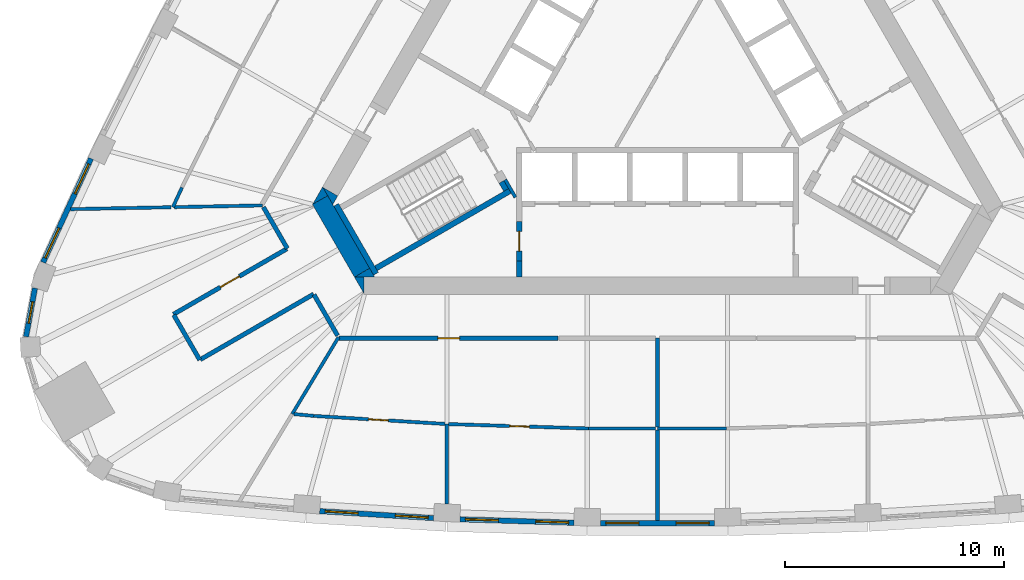
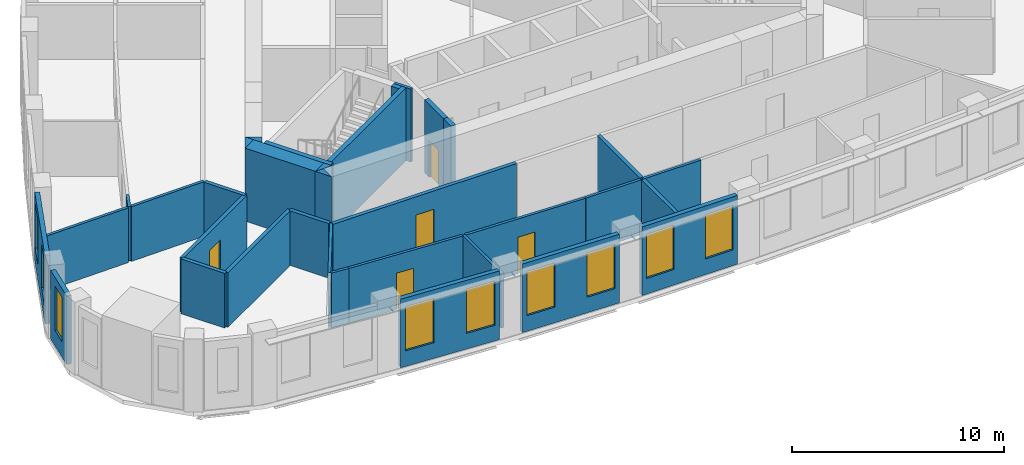
# One storey, part 3 of 10: 34 walls, 9 windows, 5 doors, 14 openings.
"""IFC4 building model written with IfcOpenShell, lengths in metres."""

from ifc_helpers import new_model, si_unit, direction, frame, frame_2d, origin, place, context, subcontext, project, spatial, polyline, rectangle, outline, extrude, material, layer, layer_set, type_object, element, fill, save


model = new_model("IFC4")

# Units and contexts
model_context = context("Model", 3, precision=1e-05, world=origin(), true_north=direction((0.0, 1.0)))
body_context = subcontext(model_context, "Body", "Model", "MODEL_VIEW")
ifc_project = project(units=[si_unit("LENGTHUNIT", "METRE"), si_unit("AREAUNIT", "SQUARE_METRE"), si_unit("VOLUMEUNIT", "CUBIC_METRE"), si_unit("PLANEANGLEUNIT", "RADIAN"), si_unit("MASSUNIT", "GRAM", prefix="KILO")], contexts=[model_context])

# Site, building, storey
site_placement = place(None, origin())
site = spatial("IfcSite", under=ifc_project, at=site_placement, CompositionType="ELEMENT")
building_placement = place(site_placement, origin())
building = spatial("IfcBuilding", under=site, at=building_placement, Name="Mestral Congress Tower", CompositionType="ELEMENT")
storey_placement = place(building_placement, frame((0.0, 0.0, 158.39990234375)))
storey = spatial("IfcBuildingStorey", under=building, at=storey_placement, Name="L37", CompositionType="ELEMENT", Elevation=158.39990234375)

# Walls
ifc_material_1 = material(Name="Concrete C60/75", Category="concrete")
ifc_layer_1 = layer(ifc_material_1, 0.800048828125)
ifc_layer_set_1 = layer_set([ifc_layer_1], Name="Concrete C60/75")
wall_type_1 = type_object("IfcWallType", Name="Core wall RC 800", PredefinedType="SOLIDWALL", material=ifc_layer_set_1)
placement = place(storey_placement, origin())
element("IfcWall", 1, at=placement, inside=storey, type_object=wall_type_1, Name="L37 core wall", PredefinedType="SOLIDWALL", context=body_context, shape_type="SweptSolid", body=[
    extrude(outline(polyline([(-13.82763671875, -9.64990234375), (-13.379638671875, -9.64990234375), (-13.379638671875, -10.42578125), (-13.82763671875, -9.64990234375)])), origin(), (0.0, 0.0, 1.0), 4.2001953125),
])
wall_2_placement = place(storey_placement, frame((-15.38720703125, -6.148193359375, 0.0), z_axis=(0.0, 0.0, 1.0), x_axis=(0.499984020225, -0.866034629516, 0.0)))
element("IfcWall", 2, at=wall_2_placement, inside=storey, type_object=wall_type_1, Name="L37 core wall", PredefinedType="SOLIDWALL", context=body_context, shape_type="SweptSolid", body=[
    extrude(rectangle(XDim=3.824462890625, YDim=0.800048828125, at=frame_2d((1.912109375, 0.0))), origin(), (0.0, 0.0, 1.0), 4.2001953125),
])
element("IfcWall", 3, at=placement, inside=storey, type_object=wall_type_1, Name="L37 core wall", PredefinedType="SOLIDWALL", context=body_context, shape_type="SweptSolid", body=[
    extrude(outline(polyline([(-15.0419921875, -5.946533203125), (-15.728759765625, -6.343017578125), (-15.27099609375, -5.5498046875), (-15.0419921875, -5.946533203125)])), origin(), (0.0, 0.0, 1.0), 4.2001953125),
])
element("IfcWall", 4, at=placement, inside=storey, type_object=wall_type_1, Name="L37 core wall", PredefinedType="SOLIDWALL", context=body_context, shape_type="SweptSolid", body=[
    extrude(outline(polyline([(-12.90380859375, -9.64990234375), (-13.7998046875, -9.64990234375), (-13.127685546875, -9.261962890625), (-12.90380859375, -9.64990234375)])), origin(), (0.0, 0.0, 1.0), 4.2001953125),
])
element("IfcWall", 5, at=placement, inside=storey, type_object=wall_type_1, Name="L37 core wall", PredefinedType="SOLIDWALL", context=body_context, shape_type="SweptSolid", body=[
    extrude(outline(polyline([(-14.80908203125, -6.35009765625), (-15.2568359375, -5.57421875), (-14.5849609375, -5.9619140625), (-14.80908203125, -6.35009765625)])), origin(), (0.0, 0.0, 1.0), 4.2001953125),
])

# Wall, openings, windows
ifc_material_2 = material(Name="Precast concrete C40/50 with limestone facing", Category="masonry")
ifc_layer_2 = layer(ifc_material_2, 0.239990234375)
ifc_layer_set_2 = layer_set([ifc_layer_2], Name="Precast concrete C40/50 with limestone facing")
wall_type_2 = type_object("IfcWallType", Name="Facade stone wall 240", PredefinedType="SOLIDWALL", material=ifc_layer_set_2)
wall_6_placement = place(storey_placement, frame((-15.404541015625, -20.33837890625, 0.0), z_axis=(0.0, 0.0, 1.0), x_axis=(0.998135294646, -0.061040425794, 0.0)))
wall_6 = element("IfcWall", 6, at=wall_6_placement, inside=storey, type_object=wall_type_2, Name="Facade wall F0-01", PredefinedType="SOLIDWALL", context=body_context, shape_type="SweptSolid", body=[
    extrude(rectangle(XDim=5.20361328125, YDim=0.239990234375, at=frame_2d((2.601806640625, 0.0))), origin(), (0.0, 0.0, 1.0), 3.9501953125),
])
opening_1_placement = place(wall_6_placement, frame((0.248291015625, 0.0, 0.89990234375)))
opening_1 = element("IfcOpeningElement", 7, at=opening_1_placement, cuts=wall_6, Name="Opening W4", PredefinedType="OPENING", context=body_context, shape_type="SweptSolid", body=[
    extrude(rectangle(XDim=1.5, YDim=2.550048828125, at=frame_2d((0.75, 1.27490234375))), frame((0.0, 0.1298828125, 0.0), z_axis=(0.0, -1.0, 0.0), x_axis=(1.0, 0.0, 0.0)), (0.0, 0.0, 1.0), 0.260009765625),
])
opening_2_placement = place(wall_6_placement, frame((3.455078125, 0.0, 0.89990234375)))
opening_2 = element("IfcOpeningElement", 8, at=opening_2_placement, cuts=wall_6, Name="Opening W4", PredefinedType="OPENING", context=body_context, shape_type="SweptSolid", body=[
    extrude(rectangle(XDim=1.5, YDim=2.550048828125, at=frame_2d((0.75, 1.27490234375))), frame((0.0, 0.1298828125, 0.0), z_axis=(0.0, -1.0, 0.0), x_axis=(1.0, 0.0, 0.0)), (0.0, 0.0, 1.0), 0.260009765625),
])
ifc_material_3 = material(Name="Clear low-emissivity double glazing", Category="glass")
window_type_1 = type_object("IfcWindowType", Name="Facade punched window 1500 x 2550 sill 900", PartitioningType="SINGLE_PANEL", PredefinedType="WINDOW", material=ifc_material_3)
window_1_placement = place(opening_1_placement, origin())
window_1 = element("IfcWindow", 9, at=window_1_placement, inside=storey, type_object=window_type_1, Name="Window F0-01a", OverallHeight=2.550048828125, OverallWidth=1.5, PartitioningType="SINGLE_PANEL", PredefinedType="WINDOW", context=body_context, shape_type="SweptSolid", body=[
    extrude(rectangle(XDim=1.5, YDim=2.550048828125, at=frame_2d((0.75, 1.27490234375))), frame((0.0, 0.0400390625, 0.0), z_axis=(0.0, -1.0, 0.0), x_axis=(1.0, 0.0, 0.0)), (0.0, 0.0, 1.0), 0.06005859375),
])
fill(opening_1, window_1)
window_2_placement = place(opening_2_placement, origin())
window_2 = element("IfcWindow", 10, at=window_2_placement, inside=storey, type_object=window_type_1, Name="Window F0-01b", OverallHeight=2.550048828125, OverallWidth=1.5, PartitioningType="SINGLE_PANEL", PredefinedType="WINDOW", context=body_context, shape_type="SweptSolid", body=[
    extrude(rectangle(XDim=1.5, YDim=2.550048828125, at=frame_2d((0.75, 1.27490234375))), frame((0.0, 0.0400390625, 0.0), z_axis=(0.0, -1.0, 0.0), x_axis=(1.0, 0.0, 0.0)), (0.0, 0.0, 1.0), 0.06005859375),
])
fill(opening_2, window_2)

wall_7_placement = place(storey_placement, frame((-9.00732421875, -20.7109375, 0.0), z_axis=(0.0, 0.0, 1.0), x_axis=(0.999533441983, -0.030543384845, 0.0)))
wall_7 = element("IfcWall", 11, at=wall_7_placement, inside=storey, type_object=wall_type_2, Name="Facade wall F0-02", PredefinedType="SOLIDWALL", context=body_context, shape_type="SweptSolid", body=[
    extrude(rectangle(XDim=5.20361328125, YDim=0.239990234375, at=frame_2d((2.601806640625, 0.0))), origin(), (0.0, 0.0, 1.0), 3.9501953125),
])
opening_3_placement = place(wall_7_placement, frame((0.248291015625, 0.0, 0.89990234375)))
opening_3 = element("IfcOpeningElement", 12, at=opening_3_placement, cuts=wall_7, Name="Opening W4", PredefinedType="OPENING", context=body_context, shape_type="SweptSolid", body=[
    extrude(rectangle(XDim=1.5, YDim=2.550048828125, at=frame_2d((0.75, 1.27490234375))), frame((0.0, 0.1298828125, 0.0), z_axis=(0.0, -1.0, 0.0), x_axis=(1.0, 0.0, 0.0)), (0.0, 0.0, 1.0), 0.260009765625),
])
opening_4_placement = place(wall_7_placement, frame((3.455078125, 0.0, 0.89990234375)))
opening_4 = element("IfcOpeningElement", 13, at=opening_4_placement, cuts=wall_7, Name="Opening W4", PredefinedType="OPENING", context=body_context, shape_type="SweptSolid", body=[
    extrude(rectangle(XDim=1.5, YDim=2.550048828125, at=frame_2d((0.75, 1.27490234375))), frame((0.0, 0.1298828125, 0.0), z_axis=(0.0, -1.0, 0.0), x_axis=(1.0, 0.0, 0.0)), (0.0, 0.0, 1.0), 0.260009765625),
])
window_3_placement = place(opening_3_placement, origin())
window_3 = element("IfcWindow", 14, at=window_3_placement, inside=storey, type_object=window_type_1, Name="Window F0-02a", OverallHeight=2.550048828125, OverallWidth=1.5, PartitioningType="SINGLE_PANEL", PredefinedType="WINDOW", context=body_context, shape_type="SweptSolid", body=[
    extrude(rectangle(XDim=1.5, YDim=2.550048828125, at=frame_2d((0.75, 1.27490234375))), frame((0.0, 0.0400390625, 0.0), z_axis=(0.0, -1.0, 0.0), x_axis=(1.0, 0.0, 0.0)), (0.0, 0.0, 1.0), 0.06005859375),
])
fill(opening_3, window_3)
window_4_placement = place(opening_4_placement, origin())
window_4 = element("IfcWindow", 15, at=window_4_placement, inside=storey, type_object=window_type_1, Name="Window F0-02b", OverallHeight=2.550048828125, OverallWidth=1.5, PartitioningType="SINGLE_PANEL", PredefinedType="WINDOW", context=body_context, shape_type="SweptSolid", body=[
    extrude(rectangle(XDim=1.5, YDim=2.550048828125, at=frame_2d((0.75, 1.27490234375))), frame((0.0, 0.0400390625, 0.0), z_axis=(0.0, -1.0, 0.0), x_axis=(1.0, 0.0, 0.0)), (0.0, 0.0, 1.0), 0.06005859375),
])
fill(opening_4, window_4)

wall_8_placement = place(storey_placement, frame((-2.601806640625, -20.88818359375, 0.0), z_axis=(0.0, 0.0, 1.0), x_axis=(1.0, 0.0, 0.0)))
wall_8 = element("IfcWall", 16, at=wall_8_placement, inside=storey, type_object=wall_type_2, Name="Facade wall F0-03", PredefinedType="SOLIDWALL", context=body_context, shape_type="SweptSolid", body=[
    extrude(rectangle(XDim=5.20361328125, YDim=0.239990234375, at=frame_2d((2.601806640625, 0.0))), origin(), (0.0, 0.0, 1.0), 3.9501953125),
])
opening_5_placement = place(wall_8_placement, frame((0.248291015625, 0.0, 0.89990234375)))
opening_5 = element("IfcOpeningElement", 17, at=opening_5_placement, cuts=wall_8, Name="Opening W4", PredefinedType="OPENING", context=body_context, shape_type="SweptSolid", body=[
    extrude(rectangle(XDim=1.5, YDim=2.550048828125, at=frame_2d((0.75, 1.27490234375))), frame((0.0, 0.1298828125, 0.0), z_axis=(0.0, -1.0, 0.0), x_axis=(1.0, 0.0, 0.0)), (0.0, 0.0, 1.0), 0.260009765625),
])
opening_6_placement = place(wall_8_placement, frame((3.455078125, 0.0, 0.89990234375)))
opening_6 = element("IfcOpeningElement", 18, at=opening_6_placement, cuts=wall_8, Name="Opening W4", PredefinedType="OPENING", context=body_context, shape_type="SweptSolid", body=[
    extrude(rectangle(XDim=1.5, YDim=2.550048828125, at=frame_2d((0.75, 1.27490234375))), frame((0.0, 0.1298828125, 0.0), z_axis=(0.0, -1.0, 0.0), x_axis=(1.0, 0.0, 0.0)), (0.0, 0.0, 1.0), 0.260009765625),
])
window_5_placement = place(opening_5_placement, origin())
window_5 = element("IfcWindow", 19, at=window_5_placement, inside=storey, type_object=window_type_1, Name="Window F0-03a", OverallHeight=2.550048828125, OverallWidth=1.5, PartitioningType="SINGLE_PANEL", PredefinedType="WINDOW", context=body_context, shape_type="SweptSolid", body=[
    extrude(rectangle(XDim=1.5, YDim=2.550048828125, at=frame_2d((0.75, 1.27490234375))), frame((0.0, 0.0400390625, 0.0), z_axis=(0.0, -1.0, 0.0), x_axis=(1.0, 0.0, 0.0)), (0.0, 0.0, 1.0), 0.06005859375),
])
fill(opening_5, window_5)
window_6_placement = place(opening_6_placement, origin())
window_6 = element("IfcWindow", 20, at=window_6_placement, inside=storey, type_object=window_type_1, Name="Window F0-03b", OverallHeight=2.550048828125, OverallWidth=1.5, PartitioningType="SINGLE_PANEL", PredefinedType="WINDOW", context=body_context, shape_type="SweptSolid", body=[
    extrude(rectangle(XDim=1.5, YDim=2.550048828125, at=frame_2d((0.75, 1.27490234375))), frame((0.0, 0.0400390625, 0.0), z_axis=(0.0, -1.0, 0.0), x_axis=(1.0, 0.0, 0.0)), (0.0, 0.0, 1.0), 0.06005859375),
])
fill(opening_6, window_6)

wall_9_placement = place(storey_placement, frame((-25.8369140625, -4.2578125, 0.0), z_axis=(0.0, 0.0, 1.0), x_axis=(-0.418722559465, -0.908114209885, 0.0)))
wall_9 = element("IfcWall", 21, at=wall_9_placement, inside=storey, type_object=wall_type_2, Name="Facade wall F2-06", PredefinedType="SOLIDWALL", context=body_context, shape_type="SweptSolid", body=[
    extrude(rectangle(XDim=5.213134765625, YDim=0.239990234375, at=frame_2d((2.6064453125, 0.0))), origin(), (0.0, 0.0, 1.0), 3.9501953125),
])
opening_7_placement = place(wall_9_placement, frame((0.2607421875, 0.0, 0.89990234375)))
opening_7 = element("IfcOpeningElement", 22, at=opening_7_placement, cuts=wall_9, Name="Opening W4", PredefinedType="OPENING", context=body_context, shape_type="SweptSolid", body=[
    extrude(rectangle(XDim=1.5, YDim=2.550048828125, at=frame_2d((0.75, 1.27490234375))), frame((0.0, 0.1298828125, 0.0), z_axis=(0.0, -1.0, 0.0), x_axis=(1.0, 0.0, 0.0)), (0.0, 0.0, 1.0), 0.260009765625),
])
opening_8_placement = place(wall_9_placement, frame((3.492431640625, 0.0, 0.89990234375)))
opening_8 = element("IfcOpeningElement", 23, at=opening_8_placement, cuts=wall_9, Name="Opening W4", PredefinedType="OPENING", context=body_context, shape_type="SweptSolid", body=[
    extrude(rectangle(XDim=1.5, YDim=2.550048828125, at=frame_2d((0.75, 1.27490234375))), frame((0.0, 0.1298828125, 0.0), z_axis=(0.0, -1.0, 0.0), x_axis=(1.0, 0.0, 0.0)), (0.0, 0.0, 1.0), 0.260009765625),
])
window_7_placement = place(opening_7_placement, origin())
window_7 = element("IfcWindow", 24, at=window_7_placement, inside=storey, type_object=window_type_1, Name="Window F2-06a", OverallHeight=2.550048828125, OverallWidth=1.5, PartitioningType="SINGLE_PANEL", PredefinedType="WINDOW", context=body_context, shape_type="SweptSolid", body=[
    extrude(rectangle(XDim=1.5, YDim=2.550048828125, at=frame_2d((0.75, 1.27490234375))), frame((0.0, 0.0400390625, 0.0), z_axis=(0.0, -1.0, 0.0), x_axis=(1.0, 0.0, 0.0)), (0.0, 0.0, 1.0), 0.06005859375),
])
fill(opening_7, window_7)
window_8_placement = place(opening_8_placement, origin())
window_8 = element("IfcWindow", 25, at=window_8_placement, inside=storey, type_object=window_type_1, Name="Window F2-06b", OverallHeight=2.550048828125, OverallWidth=1.5, PartitioningType="SINGLE_PANEL", PredefinedType="WINDOW", context=body_context, shape_type="SweptSolid", body=[
    extrude(rectangle(XDim=1.5, YDim=2.550048828125, at=frame_2d((0.75, 1.27490234375))), frame((0.0, 0.0400390625, 0.0), z_axis=(0.0, -1.0, 0.0), x_axis=(1.0, 0.0, 0.0)), (0.0, 0.0, 1.0), 0.06005859375),
])
fill(opening_8, window_8)

# Wall, opening, window
wall_10_placement = place(storey_placement, frame((-28.392578125, -10.166748046875, 0.0), z_axis=(0.0, 0.0, 1.0), x_axis=(-0.180737189259, -0.983531427265, 0.0)))
wall_10 = element("IfcWall", 26, at=wall_10_placement, inside=storey, type_object=wall_type_2, Name="Facade wall K2-0", PredefinedType="SOLIDWALL", context=body_context, shape_type="SweptSolid", body=[
    extrude(rectangle(XDim=2.25048828125, YDim=0.239990234375, at=frame_2d((1.125244140625, 0.0))), origin(), (0.0, 0.0, 1.0), 3.9501953125),
])
opening_9_placement = place(wall_10_placement, frame((0.625244140625, 0.0, 0.89990234375)))
opening_9 = element("IfcOpeningElement", 27, at=opening_9_placement, cuts=wall_10, Name="Opening W5", PredefinedType="OPENING", context=body_context, shape_type="SweptSolid", body=[
    extrude(rectangle(XDim=1.0, YDim=2.550048828125, at=frame_2d((0.5, 1.27490234375))), frame((0.0, 0.1298828125, 0.0), z_axis=(0.0, -1.0, 0.0), x_axis=(1.0, 0.0, 0.0)), (0.0, 0.0, 1.0), 0.260009765625),
])
window_type_2 = type_object("IfcWindowType", Name="Facade punched window 1000 x 2550 sill 900", PartitioningType="SINGLE_PANEL", PredefinedType="WINDOW", material=ifc_material_3)
window_9_placement = place(opening_9_placement, origin())
window_9 = element("IfcWindow", 28, at=window_9_placement, inside=storey, type_object=window_type_2, Name="Window K2-0", OverallHeight=2.550048828125, OverallWidth=1.0, PartitioningType="SINGLE_PANEL", PredefinedType="WINDOW", context=body_context, shape_type="SweptSolid", body=[
    extrude(rectangle(XDim=1.0, YDim=2.550048828125, at=frame_2d((0.5, 1.27490234375))), frame((0.0, 0.0400390625, 0.0), z_axis=(0.0, -1.0, 0.0), x_axis=(1.0, 0.0, 0.0)), (0.0, 0.0, 1.0), 0.06005859375),
])
fill(opening_9, window_9)

# Walls
ifc_material_4 = material(Name="Plasterboard partition on steel studs", Category="steel")
ifc_layer_3 = layer(ifc_material_4, 0.14990234375)
ifc_layer_set_3 = layer_set([ifc_layer_3], Name="Plasterboard partition on steel studs")
wall_type_3 = type_object("IfcWallType", Name="Office partition 150", PredefinedType="PARTITIONING", material=ifc_layer_set_3)
wall_11_placement = place(storey_placement, frame((0.0, -16.568115234375, 0.0), z_axis=(0.0, 0.0, 1.0), x_axis=(1.0, 0.0, 0.0)))
element("IfcWall", 29, at=wall_11_placement, inside=storey, type_object=wall_type_3, Name="Partition", PredefinedType="PARTITIONING", context=body_context, shape_type="SweptSolid", body=[
    extrude(rectangle(XDim=3.13818359375, YDim=0.14990234375, at=frame_2d((1.569091796875, 0.0))), origin(), (0.0, 0.0, 1.0), 3.150146484375),
])
wall_12_placement = place(storey_placement, frame((-21.689208984375, -5.579345703125, 0.0), z_axis=(0.0, 0.0, 1.0), x_axis=(-0.418649696334, -0.908147802816, 0.0)))
element("IfcWall", 30, at=wall_12_placement, inside=storey, type_object=wall_type_3, Name="Partition", PredefinedType="PARTITIONING", context=body_context, shape_type="SweptSolid", body=[
    extrude(rectangle(XDim=0.985595703125, YDim=0.14990234375, at=frame_2d((0.49267578125, 0.0))), origin(), (0.0, 0.0, 1.0), 3.150146484375),
])
wall_13_placement = place(storey_placement, frame((-22.185302734375, -6.47607421875, 0.0), z_axis=(0.0, 0.0, 1.0), x_axis=(-0.999810025733, -0.019491342784, 0.0)))
element("IfcWall", 31, at=wall_13_placement, inside=storey, type_object=wall_type_3, Name="Partition", PredefinedType="PARTITIONING", context=body_context, shape_type="SweptSolid", body=[
    extrude(rectangle(XDim=4.58447265625, YDim=0.14990234375, at=frame_2d((2.292236328125, 0.0))), origin(), (0.0, 0.0, 1.0), 3.150146484375),
])
wall_14_placement = place(storey_placement, frame((-18.016357421875, -6.39453125, 0.0), z_axis=(0.0, 0.0, 1.0), x_axis=(-0.999809528944, -0.019516808959, 0.0)))
element("IfcWall", 32, at=wall_14_placement, inside=storey, type_object=wall_type_3, Name="Partition", PredefinedType="PARTITIONING", context=body_context, shape_type="SweptSolid", body=[
    extrude(rectangle(XDim=4.0029296875, YDim=0.14990234375, at=frame_2d((2.00146484375, 0.0))), origin(), (0.0, 0.0, 1.0), 3.150146484375),
])
wall_15_placement = place(storey_placement, frame((-14.546142578125, -12.405517578125, 0.0), z_axis=(0.0, 0.0, 1.0), x_axis=(-0.516811321583, -0.856099327113, 0.0)))
element("IfcWall", 33, at=wall_15_placement, inside=storey, type_object=wall_type_3, Name="Partition", PredefinedType="PARTITIONING", context=body_context, shape_type="SweptSolid", body=[
    extrude(rectangle(XDim=4.090087890625, YDim=0.14990234375, at=frame_2d((2.044921875, 0.0))), origin(), (0.0, 0.0, 1.0), 3.150146484375),
])
wall_16_placement = place(storey_placement, frame((-9.6171875, -16.364013671875, 0.0), z_axis=(0.0, 0.0, 1.0), x_axis=(0.0, -1.0, 0.0)))
element("IfcWall", 34, at=wall_16_placement, inside=storey, type_object=wall_type_3, Name="Partition", PredefinedType="PARTITIONING", context=body_context, shape_type="SweptSolid", body=[
    extrude(rectangle(XDim=3.6474609375, YDim=0.14990234375, at=frame_2d((1.82373046875, 0.0))), origin(), (0.0, 0.0, 1.0), 3.150146484375),
])
wall_17_placement = place(storey_placement, frame((-16.574951171875, -15.9111328125, 0.0), z_axis=(0.0, 0.0, 1.0), x_axis=(0.995808489615, -0.09146284497, 0.0)))
element("IfcWall", 35, at=wall_17_placement, inside=storey, type_object=wall_type_3, Name="Partition", PredefinedType="PARTITIONING", context=body_context, shape_type="SweptSolid", body=[
    extrude(rectangle(XDim=0.902099609375, YDim=0.14990234375, at=frame_2d((0.451171875, 0.0))), origin(), (0.0, 0.0, 1.0), 3.150146484375),
])

# Wall, opening, door
wall_18_placement = place(storey_placement, frame((-9.692138671875, -16.359619140625, 0.0), z_axis=(0.0, 0.0, 1.0), x_axis=(-0.998135339661, 0.061039689709, 0.0)))
wall_18 = element("IfcWall", 36, at=wall_18_placement, inside=storey, type_object=wall_type_3, Name="Partition", PredefinedType="PARTITIONING", context=body_context, shape_type="SweptSolid", body=[
    extrude(rectangle(XDim=5.99560546875, YDim=0.14990234375, at=frame_2d((2.997802734375, 0.0))), origin(), (0.0, 0.0, 1.0), 3.150146484375),
])
opening_10_placement = place(wall_18_placement, frame((2.595458984375, 0.0, 0.0)))
opening_10 = element("IfcOpeningElement", 37, at=opening_10_placement, cuts=wall_18, Name="Opening O02-019", PredefinedType="OPENING", context=body_context, shape_type="SweptSolid", body=[
    extrude(rectangle(XDim=0.89990234375, YDim=2.10009765625, at=frame_2d((0.449951171875, 1.050048828125))), frame((0.0, 0.0849609375, 0.0), z_axis=(0.0, -1.0, 0.0), x_axis=(1.0, 0.0, 0.0)), (0.0, 0.0, 1.0), 0.169921875),
])
ifc_material_5 = material(Name="Timber door set", Category="wood")
door_type_1 = type_object("IfcDoorType", Name="Office door 900x2100", OperationType="SINGLE_SWING_LEFT", PredefinedType="DOOR", material=ifc_material_5)
door_1_placement = place(opening_10_placement, origin())
door_1 = element("IfcDoor", 38, at=door_1_placement, inside=storey, type_object=door_type_1, Name="Door O02-019", OperationType="SINGLE_SWING_RIGHT", OverallHeight=2.10009765625, OverallWidth=0.89990234375, PredefinedType="DOOR", context=body_context, shape_type="SweptSolid", body=[
    extrude(rectangle(XDim=0.89990234375, YDim=2.10009765625, at=frame_2d((0.449951171875, 1.050048828125))), frame((0.0, 0.02490234375, 0.0), z_axis=(0.0, -1.0, 0.0), x_axis=(1.0, 0.0, 0.0)), (0.0, 0.0, 1.0), 0.050048828125),
])
fill(opening_10, door_1)

wall_19_placement = place(storey_placement, frame((-3.13818359375, -16.568115234375, 0.0), z_axis=(0.0, 0.0, 1.0), x_axis=(-0.999504575396, 0.031473858384, 0.0)))
wall_19 = element("IfcWall", 39, at=wall_19_placement, inside=storey, type_object=wall_type_3, Name="Partition", PredefinedType="PARTITIONING", context=body_context, shape_type="SweptSolid", body=[
    extrude(rectangle(XDim=6.4072265625, YDim=0.14990234375, at=frame_2d((3.20361328125, 0.0))), origin(), (0.0, 0.0, 1.0), 3.150146484375),
])
opening_11_placement = place(wall_19_placement, frame((2.707275390625, 0.0, 0.0)))
opening_11 = element("IfcOpeningElement", 40, at=opening_11_placement, cuts=wall_19, Name="Opening O02-020", PredefinedType="OPENING", context=body_context, shape_type="SweptSolid", body=[
    extrude(rectangle(XDim=0.89990234375, YDim=2.10009765625, at=frame_2d((0.449951171875, 1.050048828125))), frame((0.0, 0.0849609375, 0.0), z_axis=(0.0, -1.0, 0.0), x_axis=(1.0, 0.0, 0.0)), (0.0, 0.0, 1.0), 0.169921875),
])
door_2_placement = place(opening_11_placement, origin())
door_2 = element("IfcDoor", 41, at=door_2_placement, inside=storey, type_object=door_type_1, Name="Door O02-020", OperationType="SINGLE_SWING_LEFT", OverallHeight=2.10009765625, OverallWidth=0.89990234375, PredefinedType="DOOR", context=body_context, shape_type="SweptSolid", body=[
    extrude(rectangle(XDim=0.89990234375, YDim=2.10009765625, at=frame_2d((0.449951171875, 1.050048828125))), frame((0.0, 0.02490234375, 0.0), z_axis=(0.0, -1.0, 0.0), x_axis=(1.0, 0.0, 0.0)), (0.0, 0.0, 1.0), 0.050048828125),
])
fill(opening_11, door_2)

# Walls
wall_20_placement = place(storey_placement, frame((-3.13818359375, -16.568115234375, 0.0), z_axis=(0.0, 0.0, 1.0), x_axis=(1.0, 0.0, 0.0)))
element("IfcWall", 42, at=wall_20_placement, inside=storey, type_object=wall_type_3, Name="Partition", PredefinedType="PARTITIONING", context=body_context, shape_type="SweptSolid", body=[
    extrude(rectangle(XDim=3.0380859375, YDim=0.14990234375, at=frame_2d((1.51904296875, 0.0))), origin(), (0.0, 0.0, 1.0), 3.150146484375),
])
ifc_material_6 = material(Name="Dense masonry wall, plastered", Category="masonry")
ifc_layer_4 = layer(ifc_material_6, 0.199951171875)
ifc_layer_set_4 = layer_set([ifc_layer_4], Name="Dense masonry wall, plastered")
wall_type_4 = type_object("IfcWallType", Name="Office tenancy wall 200", PredefinedType="PARTITIONING", material=ifc_layer_set_4)
wall_21_placement = place(storey_placement, frame((0.0, -20.768310546875, 0.0), z_axis=(0.0, 0.0, 1.0), x_axis=(0.0, 1.0, 0.0)))
element("IfcWall", 43, at=wall_21_placement, inside=storey, type_object=wall_type_4, Name="Tenancy wall", PredefinedType="PARTITIONING", context=body_context, shape_type="SweptSolid", body=[
    extrude(rectangle(XDim=4.125, YDim=0.199951171875, at=frame_2d((2.0625, 0.0))), origin(), (0.0, 0.0, 1.0), 3.150146484375),
])
wall_22_placement = place(storey_placement, frame((0.0, -16.4931640625, 0.0), z_axis=(0.0, 0.0, 1.0), x_axis=(0.0, 1.0, 0.0)))
element("IfcWall", 44, at=wall_22_placement, inside=storey, type_object=wall_type_4, Name="Tenancy wall", PredefinedType="PARTITIONING", context=body_context, shape_type="SweptSolid", body=[
    extrude(rectangle(XDim=4.043212890625, YDim=0.199951171875, at=frame_2d((2.021484375, 0.0))), origin(), (0.0, 0.0, 1.0), 3.150146484375),
])
wall_23_placement = place(storey_placement, frame((-17.9736328125, -6.46875, 0.0), z_axis=(0.0, 0.0, 1.0), x_axis=(0.499961062019, -0.866047883471, 0.0)))
element("IfcWall", 45, at=wall_23_placement, inside=storey, type_object=wall_type_4, Name="Tenancy wall", PredefinedType="PARTITIONING", context=body_context, shape_type="SweptSolid", body=[
    extrude(rectangle(XDim=2.184814453125, YDim=0.199951171875, at=frame_2d((1.09228515625, 0.0))), origin(), (0.0, 0.0, 1.0), 3.150146484375),
])

# Wall, opening, door
wall_24_placement = place(storey_placement, frame((-16.9072265625, -8.375732421875, 0.0), z_axis=(0.0, 0.0, 1.0), x_axis=(-0.866017375886, -0.50001390447, 0.0)))
wall_24 = element("IfcWall", 46, at=wall_24_placement, inside=storey, type_object=wall_type_4, Name="Tenancy wall", PredefinedType="PARTITIONING", context=body_context, shape_type="SweptSolid", body=[
    extrude(rectangle(XDim=5.969970703125, YDim=0.199951171875, at=frame_2d((2.98486328125, 0.0))), origin(), (0.0, 0.0, 1.0), 3.150146484375),
])
opening_12_placement = place(wall_24_placement, frame((2.5, 0.0, 0.0)))
opening_12 = element("IfcOpeningElement", 47, at=opening_12_placement, cuts=wall_24, Name="Opening O02-018", PredefinedType="OPENING", context=body_context, shape_type="SweptSolid", body=[
    extrude(rectangle(XDim=1.0, YDim=2.10009765625, at=frame_2d((0.5, 1.050048828125))), frame((0.0, 0.10986328125, 0.0), z_axis=(0.0, -1.0, 0.0), x_axis=(1.0, 0.0, 0.0)), (0.0, 0.0, 1.0), 0.219970703125),
])
ifc_material_7 = material(Name="Fire-rated timber door set", Category="wood")
door_type_2 = type_object("IfcDoorType", Name="Office tenancy entrance door 1000x2100", OperationType="SINGLE_SWING_LEFT", PredefinedType="DOOR", material=ifc_material_7)
door_3_placement = place(opening_12_placement, origin())
door_3 = element("IfcDoor", 48, at=door_3_placement, inside=storey, type_object=door_type_2, Name="Door O02-018", OperationType="SINGLE_SWING_RIGHT", OverallHeight=2.10009765625, OverallWidth=1.0, PredefinedType="DOOR", context=body_context, shape_type="SweptSolid", body=[
    extrude(rectangle(XDim=1.0, YDim=2.10009765625, at=frame_2d((0.5, 1.050048828125))), frame((0.0, 0.02490234375, 0.0), z_axis=(0.0, -1.0, 0.0), x_axis=(1.0, 0.0, 0.0)), (0.0, 0.0, 1.0), 0.050048828125),
])
fill(opening_12, door_3)

# Walls
wall_25_placement = place(storey_placement, frame((-22.0625, -11.38671875, 0.0), z_axis=(0.0, 0.0, 1.0), x_axis=(0.5000167099, -0.866015756104, 0.0)))
element("IfcWall", 49, at=wall_25_placement, inside=storey, type_object=wall_type_4, Name="Tenancy wall", PredefinedType="PARTITIONING", context=body_context, shape_type="SweptSolid", body=[
    extrude(rectangle(XDim=2.3701171875, YDim=0.199951171875, at=frame_2d((1.18505859375, 0.0))), origin(), (0.0, 0.0, 1.0), 3.150146484375),
])
wall_26_placement = place(storey_placement, frame((-20.851318359375, -13.42431640625, 0.0), z_axis=(0.0, 0.0, 1.0), x_axis=(0.866007151214, 0.500031613047, 0.0)))
element("IfcWall", 50, at=wall_26_placement, inside=storey, type_object=wall_type_4, Name="Tenancy wall", PredefinedType="PARTITIONING", context=body_context, shape_type="SweptSolid", body=[
    extrude(rectangle(XDim=5.9697265625, YDim=0.199951171875, at=frame_2d((2.98486328125, 0.0))), origin(), (0.0, 0.0, 1.0), 3.150146484375),
])
wall_27_placement = place(storey_placement, frame((-15.666259765625, -10.465087890625, 0.0), z_axis=(0.0, 0.0, 1.0), x_axis=(0.499977443261, -0.866038426532, 0.0)))
element("IfcWall", 51, at=wall_27_placement, inside=storey, type_object=wall_type_4, Name="Tenancy wall", PredefinedType="PARTITIONING", context=body_context, shape_type="SweptSolid", body=[
    extrude(rectangle(XDim=2.15478515625, YDim=0.199951171875, at=frame_2d((1.077392578125, 0.0))), origin(), (0.0, 0.0, 1.0), 3.150146484375),
])

# Wall, opening, door
wall_28_placement = place(storey_placement, frame((-14.5205078125, -12.449951171875, 0.0), z_axis=(0.0, 0.0, 1.0), x_axis=(1.0, 0.0, 0.0)))
wall_28 = element("IfcWall", 52, at=wall_28_placement, inside=storey, type_object=wall_type_4, Name="Tenancy wall", PredefinedType="PARTITIONING", context=body_context, shape_type="SweptSolid", body=[
    extrude(rectangle(XDim=9.990478515625, YDim=0.199951171875, at=frame_2d((4.9951171875, 0.0))), origin(), (0.0, 0.0, 1.0), 3.150146484375),
])
opening_13_placement = place(wall_28_placement, frame((4.5, 0.0, 0.0)))
opening_13 = element("IfcOpeningElement", 53, at=opening_13_placement, cuts=wall_28, Name="Opening O02-021", PredefinedType="OPENING", context=body_context, shape_type="SweptSolid", body=[
    extrude(rectangle(XDim=1.0, YDim=2.10009765625, at=frame_2d((0.5, 1.050048828125))), frame((0.0, 0.10986328125, 0.0), z_axis=(0.0, -1.0, 0.0), x_axis=(1.0, 0.0, 0.0)), (0.0, 0.0, 1.0), 0.219970703125),
])
door_4_placement = place(opening_13_placement, origin())
door_4 = element("IfcDoor", 54, at=door_4_placement, inside=storey, type_object=door_type_2, Name="Door O02-021", OperationType="SINGLE_SWING_RIGHT", OverallHeight=2.10009765625, OverallWidth=1.0, PredefinedType="DOOR", context=body_context, shape_type="SweptSolid", body=[
    extrude(rectangle(XDim=1.0, YDim=2.10009765625, at=frame_2d((0.5, 1.050048828125))), frame((0.0, 0.02490234375, 0.0), z_axis=(0.0, -1.0, 0.0), x_axis=(1.0, 0.0, 0.0)), (0.0, 0.0, 1.0), 0.050048828125),
])
fill(opening_13, door_4)

# Wall
ifc_layer_5 = layer(ifc_material_1, 0.25)
ifc_layer_set_5 = layer_set([ifc_layer_5], Name="Concrete C60/75")
wall_type_5 = type_object("IfcWallType", Name="Shaft wall RC 250", PredefinedType="SOLIDWALL", material=ifc_layer_set_5)
wall_29_placement = place(storey_placement, frame((-6.300048828125, -8.9248046875, 0.0), z_axis=(0.0, 0.0, 1.0), x_axis=(0.0, -1.0, 0.0)))
element("IfcWall", 55, at=wall_29_placement, inside=storey, type_object=wall_type_5, Name="L37 core wall", PredefinedType="SOLIDWALL", context=body_context, shape_type="SweptSolid", body=[
    extrude(rectangle(XDim=0.72509765625, YDim=0.25, at=frame_2d((0.362548828125, 0.0))), origin(), (0.0, 0.0, 1.0), 4.2001953125),
])

# Wall, opening, door
wall_30_placement = place(storey_placement, frame((-6.300048828125, -7.12451171875, 0.0), z_axis=(0.0, 0.0, 1.0), x_axis=(0.0, -1.0, 0.0)))
wall_30 = element("IfcWall", 56, at=wall_30_placement, inside=storey, type_object=wall_type_5, Name="L37 door wall", PredefinedType="SOLIDWALL", context=body_context, shape_type="SweptSolid", body=[
    extrude(rectangle(XDim=1.800048828125, YDim=0.25, at=frame_2d((0.89990234375, 0.0))), origin(), (0.0, 0.0, 1.0), 4.2001953125),
])
opening_14_placement = place(wall_30_placement, frame((0.449951171875, 0.0, 0.0)))
opening_14 = element("IfcOpeningElement", 57, at=opening_14_placement, cuts=wall_30, Name="Opening TD3", PredefinedType="OPENING", context=body_context, shape_type="SweptSolid", body=[
    extrude(rectangle(XDim=0.89990234375, YDim=2.10009765625, at=frame_2d((0.449951171875, 1.050048828125))), frame((0.0, 0.135009765625, 0.0), z_axis=(0.0, -1.0, 0.0), x_axis=(1.0, 0.0, 0.0)), (0.0, 0.0, 1.0), 0.27001953125),
])
ifc_material_8 = material(Name="Fire-rated steel door set", Category="steel")
door_type_3 = type_object("IfcDoorType", Name="Core door SR 900x2100", OperationType="SINGLE_SWING_LEFT", PredefinedType="DOOR", material=ifc_material_8)
door_5_placement = place(opening_14_placement, origin())
door_5 = element("IfcDoor", 58, at=door_5_placement, inside=storey, type_object=door_type_3, Name="Door TD3", OperationType="SINGLE_SWING_LEFT", OverallHeight=2.10009765625, OverallWidth=0.89990234375, PredefinedType="DOOR", context=body_context, shape_type="SweptSolid", body=[
    extrude(rectangle(XDim=0.89990234375, YDim=2.10009765625, at=frame_2d((0.449951171875, 1.050048828125))), frame((0.0, 0.02490234375, 0.0), z_axis=(0.0, -1.0, 0.0), x_axis=(1.0, 0.0, 0.0)), (0.0, 0.0, 1.0), 0.050048828125),
])
fill(opening_14, door_5)

# Walls
ifc_layer_6 = layer(ifc_material_1, 0.14990234375)
ifc_layer_set_6 = layer_set([ifc_layer_6], Name="Concrete C60/75")
wall_type_6 = type_object("IfcWallType", Name="Shaft wall RC 250 door-wall 150", PredefinedType="SOLIDWALL", material=ifc_layer_set_6)
wall_31_placement = place(storey_placement, frame((-6.48046875, -6.026611328125, 0.0), z_axis=(0.0, 0.0, 1.0), x_axis=(-0.499927229454, 0.866067413802, 0.0)))
element("IfcWall", 59, at=wall_31_placement, inside=storey, type_object=wall_type_6, Name="L37 core wall", PredefinedType="PARTITIONING", context=body_context, shape_type="SweptSolid", body=[
    extrude(rectangle(XDim=0.928955078125, YDim=0.14990234375, at=frame_2d((0.46435546875, 0.0))), origin(), (0.0, 0.0, 1.0), 4.2001953125),
])
ifc_layer_7 = layer(ifc_material_1, 0.25)
ifc_layer_set_7 = layer_set([ifc_layer_7], Name="Concrete C60/75")
wall_type_7 = type_object("IfcWallType", Name="Stair wall RC 250", PredefinedType="SOLIDWALL", material=ifc_layer_set_7)
wall_32_placement = place(storey_placement, frame((-12.839599609375, -9.510986328125, 0.0), z_axis=(0.0, 0.0, 1.0), x_axis=(-0.499997733992, 0.866026712061, 0.0)))
element("IfcWall", 60, at=wall_32_placement, inside=storey, type_object=wall_type_7, Name="L37 core wall", PredefinedType="SOLIDWALL", context=body_context, shape_type="SweptSolid", body=[
    extrude(rectangle(XDim=3.6337890625, YDim=0.25, at=frame_2d((1.81689453125, 0.0))), origin(), (0.0, 0.0, 1.0), 4.2001953125),
])
wall_33_placement = place(storey_placement, frame((-12.83984375, -9.2607421875, 0.0), z_axis=(0.0, 0.0, 1.0), x_axis=(0.866016039709, 0.500016218704, 0.0)))
element("IfcWall", 61, at=wall_33_placement, inside=storey, type_object=wall_type_7, Name="L37 core wall", PredefinedType="SOLIDWALL", context=body_context, shape_type="SweptSolid", body=[
    extrude(rectangle(XDim=7.050048828125, YDim=0.25, at=frame_2d((3.52490234375, 0.0))), origin(), (0.0, 0.0, 1.0), 4.2001953125),
])
wall_34_placement = place(storey_placement, frame((-6.905029296875, -5.68994140625, 0.0), z_axis=(0.0, 0.0, 1.0), x_axis=(-0.500402024738, 0.865793170242, 0.0)))
element("IfcWall", 62, at=wall_34_placement, inside=storey, type_object=wall_type_7, Name="L37 core wall", PredefinedType="SOLIDWALL", context=body_context, shape_type="SweptSolid", body=[
    extrude(rectangle(XDim=0.425048828125, YDim=0.25, at=frame_2d((0.21240234375, 0.0))), origin(), (0.0, 0.0, 1.0), 4.2001953125),
])

save(model, "model.ifc")
